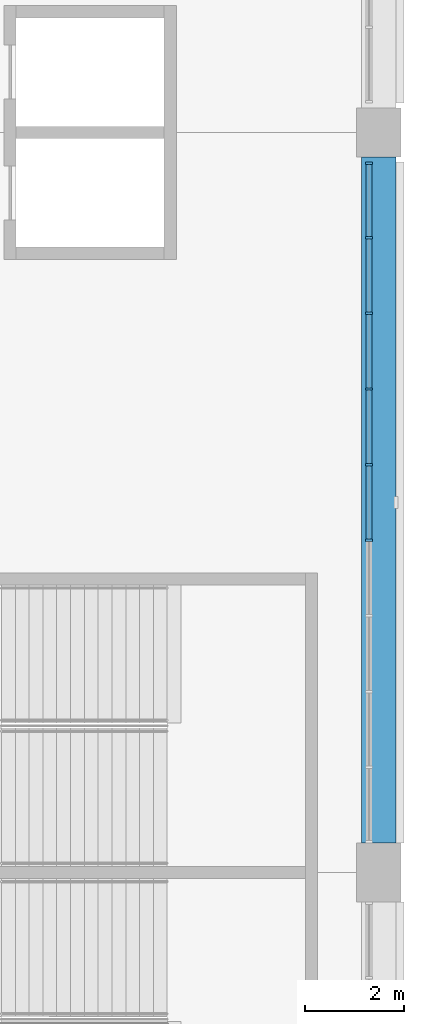
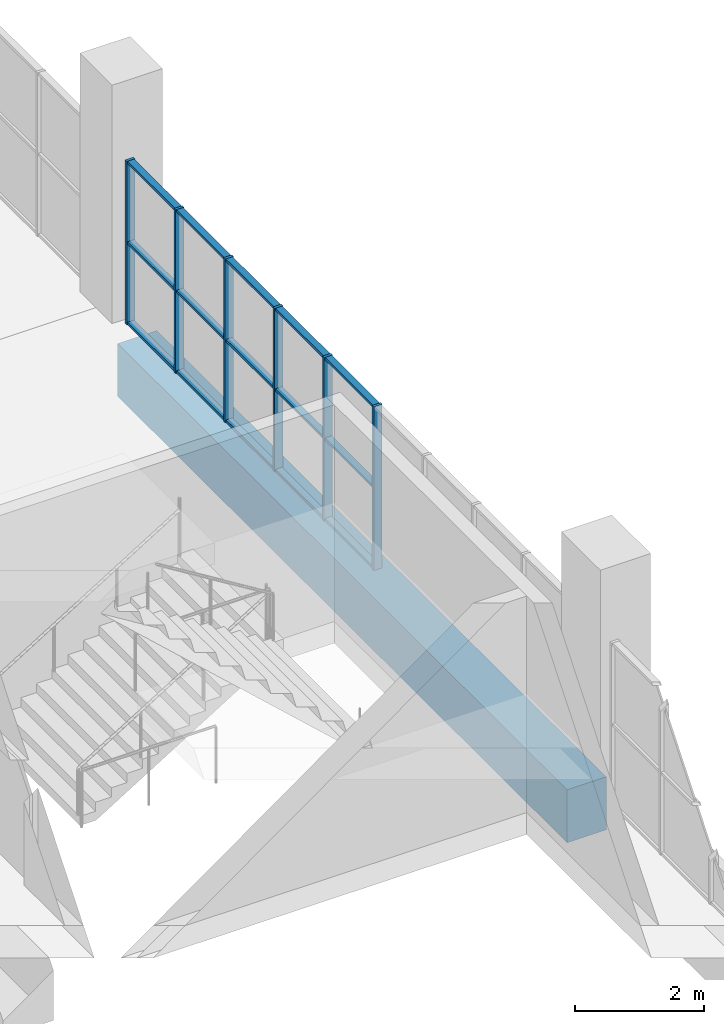
# One storey, part 35 of 249: 21 members, 1 beam, 1 element without a shape of its own.
"""IFC4 building model written with IfcOpenShell, lengths in metres."""

import ifcopenshell
import ifcopenshell.guid

model = None  # the IFC model being written
_history = None  # IfcOwnerHistory: only IFC2X3 demands one
_inside = {}  # id of a spatial element -> (the spatial element, [elements in it])
_under = {}  # id of a project, library or spatial element -> (it, [spatial elements below it])
_declared = {}  # id of a project -> (the project, [libraries it declares])
_typed = {}  # id of a type object -> (the type object, [elements of that type])
_made_of = {}  # id of a material, layer set ... -> (it, [elements and type objects made of it])


def new_model(schema):
    """Start an empty IFC model of exactly this schema.

    Asked for "IFC4X3", IfcOpenShell would pick the latest addendum, in which some entities
    have other attributes; the version numbers below select the first issue.
    IFC2X3 requires an IfcOwnerHistory on every rooted entity: one is made here for all.
    """
    global model, _history
    if schema == "IFC4X3":
        model = ifcopenshell.file(schema_version=(4, 3, 0, 0))
    else:
        model = ifcopenshell.file(schema=schema)
    _inside.clear()
    _under.clear()
    _declared.clear()
    _typed.clear()
    _made_of.clear()
    _history = None
    if model.schema == "IFC2X3":
        org = make("IfcOrganization", Name="unknown")
        user = make(
            "IfcPersonAndOrganization",
            ThePerson=make("IfcPerson", FamilyName="unknown"),
            TheOrganization=org,
        )
        app = make(
            "IfcApplication",
            ApplicationDeveloper=org,
            Version="unknown",
            ApplicationFullName="unknown",
            ApplicationIdentifier="unknown",
        )
        _history = make(
            "IfcOwnerHistory",
            OwningUser=user,
            OwningApplication=app,
            ChangeAction="ADDED",
            CreationDate=0,
        )
    return model


def make(cls, **values):
    """One entity of the class cls with the attributes given. An attribute that is None is left unset."""
    return model.create_entity(
        cls, **{name: value for name, value in values.items() if value is not None}
    )


def rooted(cls, **values):
    """An entity with a GlobalId (a new one), such as an element, a storey or a relation."""
    return make(cls, GlobalId=ifcopenshell.guid.new(), OwnerHistory=_history, **values)


def si_unit(unit_type, name, prefix=None):
    """IfcSIUnit, for example si_unit("LENGTHUNIT", "METRE", prefix="MILLI")."""
    return make("IfcSIUnit", UnitType=unit_type, Prefix=prefix, Name=name)


def assignment(units):
    """IfcUnitAssignment: the units of a project."""
    return None if units is None else make("IfcUnitAssignment", Units=units)


def point(xyz):
    """IfcCartesianPoint."""
    return None if xyz is None else make("IfcCartesianPoint", Coordinates=xyz)


def direction(xyz):
    """IfcDirection."""
    return None if xyz is None else make("IfcDirection", DirectionRatios=xyz)


def frame(location, z_axis=None, x_axis=None):
    """IfcAxis2Placement3D, a coordinate frame: its origin and axes. An axis left out is left unset."""
    return make(
        "IfcAxis2Placement3D",
        Location=point(location),
        Axis=direction(z_axis),
        RefDirection=direction(x_axis),
    )


def frame_2d(location, x_axis=None):
    """IfcAxis2Placement2D, a coordinate frame in the plane: its origin and x axis."""
    return make(
        "IfcAxis2Placement2D", Location=point(location), RefDirection=direction(x_axis)
    )


def origin():
    """The frame at (0, 0, 0) with its axes left unset."""
    return frame((0.0, 0.0, 0.0))


def origin_2d():
    """The frame at (0, 0) in the plane with its x axis left unset."""
    return frame_2d((0.0, 0.0))


def place(relative_to, where):
    """IfcLocalPlacement: puts the frame where relative to a parent placement (None: the world)."""
    return make(
        "IfcLocalPlacement", PlacementRelTo=relative_to, RelativePlacement=where
    )


def context(
    kind, dimensions, precision=None, world=None, true_north=None, identifier=None
):
    """IfcGeometricRepresentationContext, for example the 3D "Model" context."""
    return make(
        "IfcGeometricRepresentationContext",
        ContextIdentifier=identifier,
        ContextType=kind,
        CoordinateSpaceDimension=dimensions,
        Precision=precision,
        WorldCoordinateSystem=world,
        TrueNorth=true_north,
    )


def subcontext(parent, identifier, kind, view, scale=None):
    """IfcGeometricRepresentationSubContext, for example "Body" below "Model"."""
    return make(
        "IfcGeometricRepresentationSubContext",
        ContextIdentifier=identifier,
        ContextType=kind,
        ParentContext=parent,
        TargetScale=scale,
        TargetView=view,
    )


def project(units=None, contexts=None):
    """IfcProject with its units and contexts."""
    return rooted(
        "IfcProject",
        Name="project",
        RepresentationContexts=contexts,
        UnitsInContext=assignment(units),
    )


def spatial(cls, under=None, at=None, **own):
    """A site, building, storey or space (cls), placed at a placement, below another one or the project."""
    s = rooted(cls, ObjectPlacement=at, **own)
    if under is not None:
        _under.setdefault(under.id(), (under, []))[1].append(s)
    return s


def profile(cls, at=None, kind="AREA", **sizes):
    """A parametric profile (cls). Its sizes go by their IFC names, for example OverallWidth=200.0."""
    return make(cls, ProfileType=kind, Position=at, **sizes)


def rectangle(**sizes):
    """IfcRectangleProfileDef."""
    return profile("IfcRectangleProfileDef", **sizes)


def extrude(swept, where, along, depth):
    """IfcExtrudedAreaSolid: the profile swept, set in the frame where, extruded along a direction by depth."""
    return make(
        "IfcExtrudedAreaSolid",
        SweptArea=swept,
        Position=where,
        ExtrudedDirection=direction(along),
        Depth=depth,
    )


def shape(context_of_items, identifier, shape_type, items):
    """IfcShapeRepresentation: the items that make up one representation, for example the "Body"."""
    return make(
        "IfcShapeRepresentation",
        ContextOfItems=context_of_items,
        RepresentationIdentifier=identifier,
        RepresentationType=shape_type,
        Items=items,
    )


def material(Name=None, Category=None):
    """IfcMaterial."""
    return make("IfcMaterial", Name=Name, Category=Category)


def material_profile(
    of_material, cross_section, Name=None, Category=None, Priority=None
):
    """IfcMaterialProfile: a cross section and its material."""
    return make(
        "IfcMaterialProfile",
        Name=Name,
        Material=of_material,
        Profile=cross_section,
        Priority=Priority,
        Category=Category,
    )


def profile_set(profiles, Name=None, composite=None):
    """IfcMaterialProfileSet."""
    return make(
        "IfcMaterialProfileSet",
        Name=Name,
        MaterialProfiles=profiles,
        CompositeProfile=composite,
    )


def made_of(thing, what):
    """Note that an element or type object is made of a material, layer set ...; save() writes the relation."""
    if what is not None:
        _made_of.setdefault(what.id(), (what, []))[1].append(thing)
    return thing


def type_object(cls, material=None, **own):
    """A type object (cls), such as IfcWallType, which elements share."""
    return made_of(rooted(cls, **own), material)


def element(
    cls,
    number,
    at=None,
    inside=None,
    cuts=None,
    type_object=None,
    material=None,
    context=None,
    identifier="Body",
    shape_type=None,
    held_by="IfcProductDefinitionShape",
    body=None,
    shapes=None,
    **own,
):
    """One element of the class cls, such as IfcWall. Its Tag is "e" and its number.

    at: its placement. inside: the storey or other place that contains it. cuts: it is an
    opening in that element (IfcRelVoidsElement). A single representation is given by context,
    identifier, shape_type and body (its items); several are given by shapes. held_by: the class
    of the entity that holds the representations. save() writes the other relations.
    """
    e = rooted(cls, Tag="e%d" % number, ObjectPlacement=at, **own)
    if body is not None:
        shapes = [shape(context, identifier, shape_type, body)]
    if shapes is not None:
        e.Representation = make(held_by, Representations=shapes)
    if inside is not None:
        _inside.setdefault(inside.id(), (inside, []))[1].append(e)
    if cuts is not None:
        rooted(
            "IfcRelVoidsElement", RelatingBuildingElement=cuts, RelatedOpeningElement=e
        )
    if type_object is not None:
        _typed.setdefault(type_object.id(), (type_object, []))[1].append(e)
    return made_of(e, material)


def aggregate(whole, parts):
    """IfcRelAggregates: a whole, such as a stair, and the parts it consists of."""
    return rooted("IfcRelAggregates", RelatingObject=whole, RelatedObjects=parts)


def save(model, path):
    """Write the relations noted so far, then the file.

    IfcRelAggregates (storeys below a building ...), IfcRelContainedInSpatialStructure (elements
    in a storey), IfcRelDefinesByType, IfcRelAssociatesMaterial and IfcRelDeclares: one each for
    every whole, place, type object, material and project.
    """
    for whole, parts in _under.values():
        aggregate(whole, parts)
    for where, things in _inside.values():
        rooted(
            "IfcRelContainedInSpatialStructure",
            RelatedElements=things,
            RelatingStructure=where,
        )
    for kind, things in _typed.values():
        rooted("IfcRelDefinesByType", RelatedObjects=things, RelatingType=kind)
    for what, things in _made_of.values():
        rooted("IfcRelAssociatesMaterial", RelatedObjects=things, RelatingMaterial=what)
    for by, libraries in _declared.values():
        rooted("IfcRelDeclares", RelatingContext=by, RelatedDefinitions=libraries)
    model.write(path)


model = new_model("IFC4")

# Units and contexts
model_context = context("Model", 3, precision=1e-05, world=origin(), true_north=direction((0.0, 1.0)))
body_context = subcontext(model_context, "Body", "Model", "MODEL_VIEW")
ifc_project = project(units=[si_unit("LENGTHUNIT", "METRE"), si_unit("AREAUNIT", "SQUARE_METRE"), si_unit("VOLUMEUNIT", "CUBIC_METRE"), si_unit("PLANEANGLEUNIT", "RADIAN"), si_unit("MASSUNIT", "GRAM", prefix="KILO")], contexts=[model_context])

# Site, building, storey
site_placement = place(None, origin())
site = spatial("IfcSite", under=ifc_project, at=site_placement, CompositionType="ELEMENT")
building_placement = place(site_placement, origin())
building = spatial("IfcBuilding", under=site, at=building_placement, Name="Ogive Plaza Stadium", CompositionType="ELEMENT")
storey_placement = place(building_placement, frame((0.0, 0.0, 13.5)))
storey = spatial("IfcBuildingStorey", under=building, at=storey_placement, Name="L03", CompositionType="ELEMENT", Elevation=13.5)

# Curtain wall, members
ifc_material_1 = material(Name="Bronze-anodised aluminium with laminated glass", Category="aluminium")
curtain_wall_type = type_object("IfcCurtainWallType", Name="Lancet curtain wall", PredefinedType="NOTDEFINED", material=ifc_material_1)
curtain_wall_placement = place(storey_placement, origin())
curtain_wall = element("IfcCurtainWall", 1, at=curtain_wall_placement, inside=storey, type_object=curtain_wall_type, Name="CURTAIN WALL B05 L03", PredefinedType="NOTDEFINED")
ifc_material_2 = material(Name="Bronze-anodised aluminium", Category="aluminium")
ifc_material_profile_1 = material_profile(ifc_material_2, rectangle(XDim=0.14990234375, YDim=0.050048828125, at=origin_2d()), Name="AL 150x50")
ifc_profile_set_1 = profile_set([ifc_material_profile_1], Name="Bronze-anodised aluminium")
member_type_1 = type_object("IfcMemberType", Name="Curtain wall mullion 50x150", PredefinedType="MULLION", material=ifc_profile_set_1)
member_1_placement = place(storey_placement, frame((83.800048828125, -8.125, 0.0), z_axis=(0.0, 0.0, 1.0), x_axis=(1.0, 0.0, 0.0)))
member_1 = element("IfcMember", 2, at=member_1_placement, type_object=member_type_1, Name="CW-B05-L03 mullion 1", PredefinedType="MULLION", context=body_context, shape_type="SweptSolid", body=[
    extrude(rectangle(XDim=0.14990234375, YDim=0.050048828125, at=origin_2d()), origin(), (0.0, 0.0, 1.0), 3.090087890625),
])
member_2_placement = place(storey_placement, frame((83.800048828125, -9.63330078125, 0.0), z_axis=(0.0, 0.0, 1.0), x_axis=(1.0, 0.0, 0.0)))
member_2 = element("IfcMember", 3, at=member_2_placement, type_object=member_type_1, Name="CW-B05-L03 mullion 2", PredefinedType="MULLION", context=body_context, shape_type="SweptSolid", body=[
    extrude(rectangle(XDim=0.14990234375, YDim=0.050048828125, at=origin_2d()), origin(), (0.0, 0.0, 1.0), 3.090087890625),
])
member_3_placement = place(storey_placement, frame((83.800048828125, -11.166748046875, 0.0), z_axis=(0.0, 0.0, 1.0), x_axis=(1.0, 0.0, 0.0)))
member_3 = element("IfcMember", 4, at=member_3_placement, type_object=member_type_1, Name="CW-B05-L03 mullion 3", PredefinedType="MULLION", context=body_context, shape_type="SweptSolid", body=[
    extrude(rectangle(XDim=0.14990234375, YDim=0.050048828125, at=origin_2d()), origin(), (0.0, 0.0, 1.0), 3.090087890625),
])
member_4_placement = place(storey_placement, frame((83.800048828125, -12.699951171875, 0.0), z_axis=(0.0, 0.0, 1.0), x_axis=(1.0, 0.0, 0.0)))
member_4 = element("IfcMember", 5, at=member_4_placement, type_object=member_type_1, Name="CW-B05-L03 mullion 4", PredefinedType="MULLION", context=body_context, shape_type="SweptSolid", body=[
    extrude(rectangle(XDim=0.14990234375, YDim=0.050048828125, at=origin_2d()), origin(), (0.0, 0.0, 1.0), 3.090087890625),
])
member_5_placement = place(storey_placement, frame((83.800048828125, -14.2333984375, 0.0), z_axis=(0.0, 0.0, 1.0), x_axis=(1.0, 0.0, 0.0)))
member_5 = element("IfcMember", 6, at=member_5_placement, type_object=member_type_1, Name="CW-B05-L03 mullion 5", PredefinedType="MULLION", context=body_context, shape_type="SweptSolid", body=[
    extrude(rectangle(XDim=0.14990234375, YDim=0.050048828125, at=origin_2d()), origin(), (0.0, 0.0, 1.0), 3.090087890625),
])
member_6_placement = place(storey_placement, frame((83.800048828125, -15.7666015625, 0.0), z_axis=(0.0, 0.0, 1.0), x_axis=(1.0, 0.0, 0.0)))
member_6 = element("IfcMember", 7, at=member_6_placement, type_object=member_type_1, Name="CW-B05-L03 mullion 6", PredefinedType="MULLION", context=body_context, shape_type="SweptSolid", body=[
    extrude(rectangle(XDim=0.14990234375, YDim=0.050048828125, at=origin_2d()), origin(), (0.0, 0.0, 1.0), 3.090087890625),
])
ifc_material_3 = material(Name="Bronze-anodised aluminium", Category="aluminium")
ifc_material_profile_2 = material_profile(ifc_material_3, rectangle(XDim=0.1201171875, YDim=0.050048828125, at=origin_2d()), Name="AL 120x50")
ifc_profile_set_2 = profile_set([ifc_material_profile_2], Name="Bronze-anodised aluminium")
member_type_2 = type_object("IfcMemberType", Name="Curtain wall transom 50x120", PredefinedType="USERDEFINED", material=ifc_profile_set_2)
member_7_placement = place(storey_placement, frame((83.800048828125, -8.14990234375, 0.02490234375), z_axis=(0.0, -1.0, 0.0), x_axis=(1.0, 0.0, 0.0)))
member_7 = element("IfcMember", 8, at=member_7_placement, type_object=member_type_2, Name="CW-B05-L03 transom 1.1", ObjectType="TRANSOM", PredefinedType="USERDEFINED", context=body_context, shape_type="SweptSolid", body=[
    extrude(rectangle(XDim=0.1201171875, YDim=0.050048828125, at=origin_2d()), origin(), (0.0, 0.0, 1.0), 1.45849609375),
])
member_8_placement = place(storey_placement, frame((83.800048828125, -8.14990234375, 1.544921875), z_axis=(0.0, -1.0, 0.0), x_axis=(1.0, 0.0, 0.0)))
member_8 = element("IfcMember", 9, at=member_8_placement, type_object=member_type_2, Name="CW-B05-L03 transom 1.2", ObjectType="TRANSOM", PredefinedType="USERDEFINED", context=body_context, shape_type="SweptSolid", body=[
    extrude(rectangle(XDim=0.1201171875, YDim=0.050048828125, at=origin_2d()), origin(), (0.0, 0.0, 1.0), 1.45849609375),
])
member_9_placement = place(storey_placement, frame((83.800048828125, -8.14990234375, 3.06494140625), z_axis=(0.0, -1.0, 0.0), x_axis=(1.0, 0.0, 0.0)))
member_9 = element("IfcMember", 10, at=member_9_placement, type_object=member_type_2, Name="CW-B05-L03 transom 1.3", ObjectType="TRANSOM", PredefinedType="USERDEFINED", context=body_context, shape_type="SweptSolid", body=[
    extrude(rectangle(XDim=0.1201171875, YDim=0.050048828125, at=origin_2d()), origin(), (0.0, 0.0, 1.0), 1.45849609375),
])
member_10_placement = place(storey_placement, frame((83.800048828125, -9.658447265625, 0.02490234375), z_axis=(0.0, -1.0, 0.0), x_axis=(1.0, 0.0, 0.0)))
member_10 = element("IfcMember", 11, at=member_10_placement, type_object=member_type_2, Name="CW-B05-L03 transom 2.1", ObjectType="TRANSOM", PredefinedType="USERDEFINED", context=body_context, shape_type="SweptSolid", body=[
    extrude(rectangle(XDim=0.1201171875, YDim=0.050048828125, at=origin_2d()), origin(), (0.0, 0.0, 1.0), 1.483154296875),
])
member_11_placement = place(storey_placement, frame((83.800048828125, -9.658447265625, 1.544921875), z_axis=(0.0, -1.0, 0.0), x_axis=(1.0, 0.0, 0.0)))
member_11 = element("IfcMember", 12, at=member_11_placement, type_object=member_type_2, Name="CW-B05-L03 transom 2.2", ObjectType="TRANSOM", PredefinedType="USERDEFINED", context=body_context, shape_type="SweptSolid", body=[
    extrude(rectangle(XDim=0.1201171875, YDim=0.050048828125, at=origin_2d()), origin(), (0.0, 0.0, 1.0), 1.483154296875),
])
member_12_placement = place(storey_placement, frame((83.800048828125, -9.658447265625, 3.06494140625), z_axis=(0.0, -1.0, 0.0), x_axis=(1.0, 0.0, 0.0)))
member_12 = element("IfcMember", 13, at=member_12_placement, type_object=member_type_2, Name="CW-B05-L03 transom 2.3", ObjectType="TRANSOM", PredefinedType="USERDEFINED", context=body_context, shape_type="SweptSolid", body=[
    extrude(rectangle(XDim=0.1201171875, YDim=0.050048828125, at=origin_2d()), origin(), (0.0, 0.0, 1.0), 1.483154296875),
])
member_13_placement = place(storey_placement, frame((83.800048828125, -11.191650390625, 0.02490234375), z_axis=(0.0, -1.0, 0.0), x_axis=(1.0, 0.0, 0.0)))
member_13 = element("IfcMember", 14, at=member_13_placement, type_object=member_type_2, Name="CW-B05-L03 transom 3.1", ObjectType="TRANSOM", PredefinedType="USERDEFINED", context=body_context, shape_type="SweptSolid", body=[
    extrude(rectangle(XDim=0.1201171875, YDim=0.050048828125, at=origin_2d()), origin(), (0.0, 0.0, 1.0), 1.4833984375),
])
member_14_placement = place(storey_placement, frame((83.800048828125, -11.191650390625, 1.544921875), z_axis=(0.0, -1.0, 0.0), x_axis=(1.0, 0.0, 0.0)))
member_14 = element("IfcMember", 15, at=member_14_placement, type_object=member_type_2, Name="CW-B05-L03 transom 3.2", ObjectType="TRANSOM", PredefinedType="USERDEFINED", context=body_context, shape_type="SweptSolid", body=[
    extrude(rectangle(XDim=0.1201171875, YDim=0.050048828125, at=origin_2d()), origin(), (0.0, 0.0, 1.0), 1.4833984375),
])
member_15_placement = place(storey_placement, frame((83.800048828125, -11.191650390625, 3.06494140625), z_axis=(0.0, -1.0, 0.0), x_axis=(1.0, 0.0, 0.0)))
member_15 = element("IfcMember", 16, at=member_15_placement, type_object=member_type_2, Name="CW-B05-L03 transom 3.3", ObjectType="TRANSOM", PredefinedType="USERDEFINED", context=body_context, shape_type="SweptSolid", body=[
    extrude(rectangle(XDim=0.1201171875, YDim=0.050048828125, at=origin_2d()), origin(), (0.0, 0.0, 1.0), 1.4833984375),
])
member_16_placement = place(storey_placement, frame((83.800048828125, -12.72509765625, 0.02490234375), z_axis=(0.0, -1.0, 0.0), x_axis=(1.0, 0.0, 0.0)))
member_16 = element("IfcMember", 17, at=member_16_placement, type_object=member_type_2, Name="CW-B05-L03 transom 4.1", ObjectType="TRANSOM", PredefinedType="USERDEFINED", context=body_context, shape_type="SweptSolid", body=[
    extrude(rectangle(XDim=0.1201171875, YDim=0.050048828125, at=origin_2d()), origin(), (0.0, 0.0, 1.0), 1.483154296875),
])
member_17_placement = place(storey_placement, frame((83.800048828125, -12.72509765625, 1.544921875), z_axis=(0.0, -1.0, 0.0), x_axis=(1.0, 0.0, 0.0)))
member_17 = element("IfcMember", 18, at=member_17_placement, type_object=member_type_2, Name="CW-B05-L03 transom 4.2", ObjectType="TRANSOM", PredefinedType="USERDEFINED", context=body_context, shape_type="SweptSolid", body=[
    extrude(rectangle(XDim=0.1201171875, YDim=0.050048828125, at=origin_2d()), origin(), (0.0, 0.0, 1.0), 1.483154296875),
])
member_18_placement = place(storey_placement, frame((83.800048828125, -12.72509765625, 3.06494140625), z_axis=(0.0, -1.0, 0.0), x_axis=(1.0, 0.0, 0.0)))
member_18 = element("IfcMember", 19, at=member_18_placement, type_object=member_type_2, Name="CW-B05-L03 transom 4.3", ObjectType="TRANSOM", PredefinedType="USERDEFINED", context=body_context, shape_type="SweptSolid", body=[
    extrude(rectangle(XDim=0.1201171875, YDim=0.050048828125, at=origin_2d()), origin(), (0.0, 0.0, 1.0), 1.483154296875),
])
member_19_placement = place(storey_placement, frame((83.800048828125, -14.25830078125, 0.02490234375), z_axis=(0.0, -1.0, 0.0), x_axis=(1.0, 0.0, 0.0)))
member_19 = element("IfcMember", 20, at=member_19_placement, type_object=member_type_2, Name="CW-B05-L03 transom 5.1", ObjectType="TRANSOM", PredefinedType="USERDEFINED", context=body_context, shape_type="SweptSolid", body=[
    extrude(rectangle(XDim=0.1201171875, YDim=0.050048828125, at=origin_2d()), origin(), (0.0, 0.0, 1.0), 1.4833984375),
])
member_20_placement = place(storey_placement, frame((83.800048828125, -14.25830078125, 1.544921875), z_axis=(0.0, -1.0, 0.0), x_axis=(1.0, 0.0, 0.0)))
member_20 = element("IfcMember", 21, at=member_20_placement, type_object=member_type_2, Name="CW-B05-L03 transom 5.2", ObjectType="TRANSOM", PredefinedType="USERDEFINED", context=body_context, shape_type="SweptSolid", body=[
    extrude(rectangle(XDim=0.1201171875, YDim=0.050048828125, at=origin_2d()), origin(), (0.0, 0.0, 1.0), 1.4833984375),
])
member_21_placement = place(storey_placement, frame((83.800048828125, -14.25830078125, 3.06494140625), z_axis=(0.0, -1.0, 0.0), x_axis=(1.0, 0.0, 0.0)))
member_21 = element("IfcMember", 22, at=member_21_placement, type_object=member_type_2, Name="CW-B05-L03 transom 5.3", ObjectType="TRANSOM", PredefinedType="USERDEFINED", context=body_context, shape_type="SweptSolid", body=[
    extrude(rectangle(XDim=0.1201171875, YDim=0.050048828125, at=origin_2d()), origin(), (0.0, 0.0, 1.0), 1.4833984375),
])
aggregate(curtain_wall, [member_1, member_2, member_3, member_4, member_5, member_6, member_7, member_8, member_9, member_10, member_11, member_12, member_13, member_14, member_15, member_16, member_17, member_18, member_19, member_20, member_21])

# Beam
ifc_material_4 = material(Name="Concrete C40/50", Category="concrete")
ifc_material_profile_3 = material_profile(ifc_material_4, rectangle(XDim=0.699951171875, YDim=1.0, at=origin_2d()), Name="RC 700x1000")
ifc_profile_set_3 = profile_set([ifc_material_profile_3], Name="Concrete C40/50")
beam_type = type_object("IfcBeamType", Name="RC spandrel beam 700x1000", PredefinedType="SPANDREL", material=ifc_profile_set_3)
beam_placement = place(storey_placement, frame((84.0, -8.0, -0.909912109375), z_axis=(0.0, -1.0, 0.0), x_axis=(1.0, 0.0, 0.0)))
element("IfcBeam", 23, at=beam_placement, inside=storey, type_object=beam_type, Name="Ring beam F5 L03 B05", PredefinedType="SPANDREL", context=body_context, shape_type="SweptSolid", body=[
    extrude(rectangle(XDim=0.699951171875, YDim=1.0, at=origin_2d()), origin(), (0.0, 0.0, 1.0), 13.89990234375),
])

save(model, "model.ifc")
